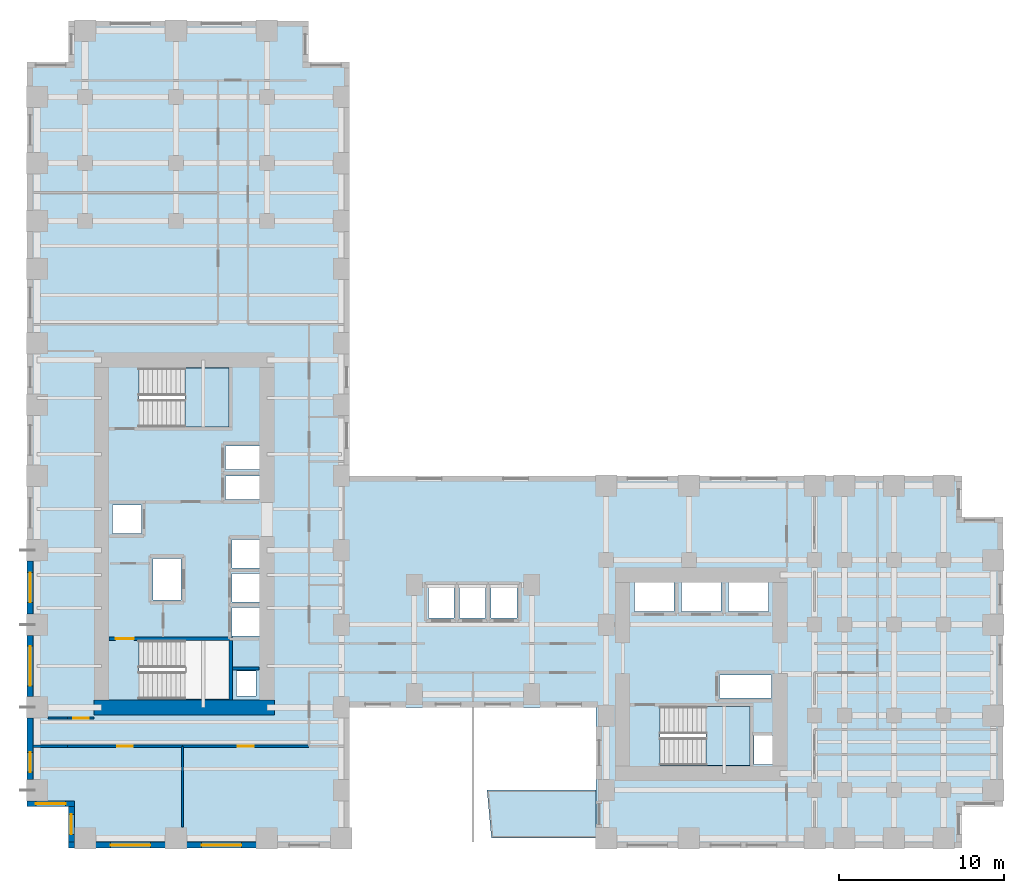
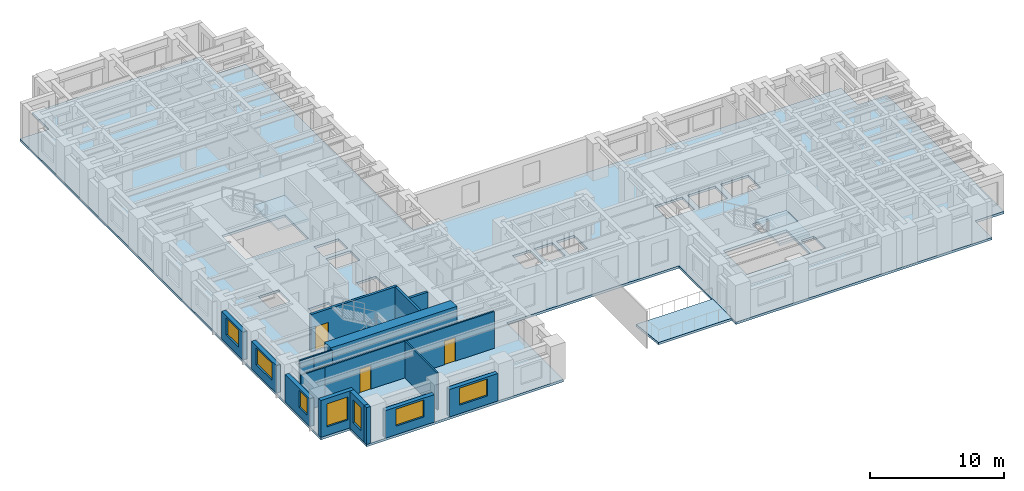
# One storey, part 3 of 12: 18 walls, 7 windows, 4 doors, 4 slabs, 11 openings, 2 elements without a shape of their own.
"""IFC4 building model written with IfcOpenShell, lengths in metres."""

from ifc_helpers import new_model, si_unit, direction, frame, frame_2d, origin, place, context, subcontext, project, spatial, polyline, rectangle, outline, extrude, source, transform, mapped, material, layer, layer_set, type_object, element, fill, aggregate, save


model = new_model("IFC4")

# Units and contexts
model_context = context("Model", 3, precision=1e-05, world=origin(), true_north=direction((0.0, 1.0)))
body_context = subcontext(model_context, "Body", "Model", "MODEL_VIEW")
ifc_project = project(units=[si_unit("LENGTHUNIT", "METRE"), si_unit("AREAUNIT", "SQUARE_METRE"), si_unit("VOLUMEUNIT", "CUBIC_METRE"), si_unit("PLANEANGLEUNIT", "RADIAN"), si_unit("MASSUNIT", "GRAM", prefix="KILO")], contexts=[model_context])

# Site, building, storey
site_placement = place(None, origin())
site = spatial("IfcSite", under=ifc_project, at=site_placement, CompositionType="ELEMENT")
building_placement = place(site_placement, origin())
building = spatial("IfcBuilding", under=site, at=building_placement, Name="Kharzan Plaza Tower", CompositionType="ELEMENT")
storey_placement = place(building_placement, frame((0.0, 0.0, 62.10009765625)))
storey = spatial("IfcBuildingStorey", under=building, at=storey_placement, Name="L16", CompositionType="ELEMENT", Elevation=62.10009765625)

# Slab
ifc_material_1 = material(Name="Concrete C40/50", Category="concrete")
ifc_layer_1 = layer(ifc_material_1, 0.219970703125)
ifc_layer_set_1 = layer_set([ifc_layer_1], Name="Concrete C40/50")
slab_type_1 = type_object("IfcSlabType", Name="SL-FLOOR-220", PredefinedType="FLOOR", material=ifc_layer_set_1)
slab_1_placement = place(storey_placement, frame((0.0, 0.0, -0.22021484375)))
element("IfcSlab", 1, at=slab_1_placement, inside=storey, type_object=slab_type_1, Name="L16 Composite Structural Floor Slab 220 mm", PredefinedType="FLOOR", context=body_context, shape_type="SweptSolid", body=[
    extrude(outline(polyline([(34.39990234375, 22.5), (19.5, 22.5), (19.5, 47.5), (17.0, 47.5), (17.0, 50.0), (2.5, 50.0), (2.5, 47.5), (0.0, 47.5), (0.0, 2.5), (2.5, 2.5), (2.5, 0.0), (19.5, 0.0), (19.5, 8.5), (34.39990234375, 8.5), (34.39990234375, 0.0), (56.5, 0.0), (56.5, 2.5), (59.0, 2.5), (59.0, 20.0), (56.5, 20.0), (56.5, 22.5), (34.39990234375, 22.5)]), holes=[polyline([(13.85009765625, 9.199951171875), (13.85009765625, 10.699951171875), (12.64990234375, 10.699951171875), (12.64990234375, 9.199951171875), (13.85009765625, 9.199951171875)]), polyline([(12.199951171875, 9.0), (12.199951171875, 12.550048828125), (6.75, 12.550048828125), (6.75, 9.0), (12.199951171875, 9.0)]), polyline([(14.10009765625, 12.800048828125), (14.10009765625, 14.530029296875), (12.39990234375, 14.530029296875), (12.39990234375, 12.800048828125), (14.10009765625, 12.800048828125)]), polyline([(14.10009765625, 14.8701171875), (14.10009765625, 16.60009765625), (12.39990234375, 16.60009765625), (12.39990234375, 14.8701171875), (14.10009765625, 14.8701171875)]), polyline([(9.300048828125, 15.0), (9.300048828125, 17.5), (7.60009765625, 17.5), (7.60009765625, 15.0), (9.300048828125, 15.0)]), polyline([(14.10009765625, 16.93994140625), (14.10009765625, 18.64990234375), (12.39990234375, 18.64990234375), (12.39990234375, 16.93994140625), (14.10009765625, 16.93994140625)]), polyline([(6.89990234375, 19.010009765625), (6.89990234375, 20.72998046875), (5.14990234375, 20.72998046875), (5.14990234375, 19.010009765625), (6.89990234375, 19.010009765625)]), polyline([(12.0, 21.070068359375), (14.10009765625, 21.070068359375), (14.10009765625, 22.489990234375), (12.0, 22.489990234375), (12.0, 21.070068359375)]), polyline([(12.0, 22.8701171875), (14.10009765625, 22.8701171875), (14.10009765625, 24.2900390625), (12.0, 24.2900390625), (12.0, 22.8701171875)]), polyline([(12.199951171875, 25.449951171875), (12.199951171875, 29.0), (6.75, 29.0), (6.75, 25.449951171875), (12.199951171875, 25.449951171875)]), polyline([(45.050048828125, 5.050048828125), (45.050048828125, 6.800048828125), (43.949951171875, 6.800048828125), (43.949951171875, 5.050048828125), (45.050048828125, 5.050048828125)]), polyline([(43.699951171875, 5.0), (43.699951171875, 8.550048828125), (38.25, 8.550048828125), (38.25, 5.0), (43.699951171875, 5.0)]), polyline([(41.85009765625, 9.070068359375), (45.0, 9.070068359375), (45.0, 10.469970703125), (41.85009765625, 10.469970703125), (41.85009765625, 9.070068359375)]), polyline([(24.25, 13.89990234375), (25.800048828125, 13.89990234375), (25.800048828125, 15.85009765625), (24.25, 15.85009765625), (24.25, 13.89990234375)]), polyline([(27.699951171875, 13.89990234375), (27.699951171875, 15.85009765625), (26.14990234375, 15.85009765625), (26.14990234375, 13.89990234375), (27.699951171875, 13.89990234375)]), polyline([(29.60009765625, 13.89990234375), (29.60009765625, 15.85009765625), (28.050048828125, 15.85009765625), (28.050048828125, 13.89990234375), (29.60009765625, 13.89990234375)]), polyline([(39.10009765625, 14.300048828125), (39.10009765625, 16.14990234375), (36.699951171875, 16.14990234375), (36.699951171875, 14.300048828125), (39.10009765625, 14.300048828125)]), polyline([(39.550048828125, 14.300048828125), (41.949951171875, 14.300048828125), (41.949951171875, 16.14990234375), (39.550048828125, 16.14990234375), (39.550048828125, 14.300048828125)]), polyline([(42.39990234375, 14.300048828125), (44.800048828125, 14.300048828125), (44.800048828125, 16.14990234375), (42.39990234375, 16.14990234375), (42.39990234375, 14.300048828125)])]), origin(), (0.0, 0.0, 1.0), 0.22021484375),
])

# Stair, slab
stair_type_1 = type_object("IfcStairType", Name="STR-ST-2", PredefinedType="HALF_TURN_STAIR", material=ifc_material_1)
stair_1_placement = place(storey_placement, origin())
stair_1 = element("IfcStair", 2, at=stair_1_placement, inside=storey, type_object=stair_type_1, Name="L16 Protected Exit Stair ST-2", PredefinedType="HALF_TURN_STAIR")
ifc_layer_2 = layer(ifc_material_1, 0.219970703125)
ifc_layer_set_2 = layer_set([ifc_layer_2], Name="Concrete C40/50")
slab_type_2 = type_object("IfcSlabType", Name="SL-LANDING-220", PredefinedType="LANDING", material=ifc_layer_set_2)
slab_2_placement = place(storey_placement, frame((0.0, 0.0, 1.599853515625)))
slab_2 = element("IfcSlab", 3, at=slab_2_placement, type_object=slab_type_2, Name="ST-2 landing 1", PredefinedType="LANDING", context=body_context, shape_type="SweptSolid", body=[
    extrude(outline(polyline([(9.550048828125, 25.449951171875), (12.199951171875, 25.449951171875), (12.199951171875, 29.0), (9.550048828125, 29.0), (9.550048828125, 25.449951171875)])), origin(), (0.0, 0.0, 1.0), 0.199951171875),
])
aggregate(stair_1, [slab_2])

stair_type_2 = type_object("IfcStairType", Name="STR-ST-3", PredefinedType="HALF_TURN_STAIR", material=ifc_material_1)
stair_2_placement = place(storey_placement, origin())
stair_2 = element("IfcStair", 4, at=stair_2_placement, inside=storey, type_object=stair_type_2, Name="L16 Protected Exit Stair ST-3", PredefinedType="HALF_TURN_STAIR")
slab_3_placement = place(storey_placement, frame((0.0, 0.0, 1.599853515625)))
slab_3 = element("IfcSlab", 5, at=slab_3_placement, type_object=slab_type_2, Name="ST-3 landing 1", PredefinedType="LANDING", context=body_context, shape_type="SweptSolid", body=[
    extrude(outline(polyline([(41.050048828125, 5.0), (43.699951171875, 5.0), (43.699951171875, 8.550048828125), (41.050048828125, 8.550048828125), (41.050048828125, 5.0)])), origin(), (0.0, 0.0, 1.0), 0.199951171875),
])
aggregate(stair_2, [slab_3])

# Slab
ifc_layer_3 = layer(ifc_material_1, 0.215087890625)
ifc_layer_set_3 = layer_set([ifc_layer_3], Name="Concrete C40/50")
slab_type_3 = type_object("IfcSlabType", Name="SL-TRAY-215", PredefinedType="ROOF", material=ifc_layer_set_3)
slab_4_placement = place(storey_placement, frame((0.0, 0.0, -0.215087890625)))
element("IfcSlab", 6, at=slab_4_placement, inside=storey, type_object=slab_type_3, Name="L16 Sky Terrace Tray Slab", PredefinedType="ROOF", context=body_context, shape_type="SweptSolid", body=[
    extrude(outline(polyline([(28.06396484375, 0.60009765625), (34.39990234375, 0.60009765625), (34.39990234375, 3.5), (27.800048828125, 3.5), (28.06396484375, 0.60009765625)])), origin(), (0.0, 0.0, 1.0), 0.215087890625),
])

# Wall, opening, window
ifc_layer_4 = layer(ifc_material_1, 0.35009765625)
ifc_layer_set_4 = layer_set([ifc_layer_4], Name="Concrete C40/50")
wall_type_1 = type_object("IfcWallType", Name="WL-EXT-MAS-Z1", PredefinedType="SOLIDWALL", material=ifc_layer_set_4)
wall_1_placement = place(storey_placement, frame((0.175048828125, 17.35205078125, 0.0), z_axis=(0.0, 0.0, 1.0), x_axis=(0.0, -1.0, 0.0)))
wall_1 = element("IfcWall", 7, at=wall_1_placement, inside=storey, type_object=wall_type_1, Name="L16 Masonry-Frame Exterior Wall 17", PredefinedType="SOLIDWALL", context=body_context, shape_type="SweptSolid", body=[
    extrude(rectangle(XDim=3.2041015625, YDim=0.35009765625, at=frame_2d((1.60205078125, 0.0))), origin(), (0.0, 0.0, 1.0), 2.510009765625),
])
opening_1_placement = place(wall_1_placement, frame((0.701904296875, 0.0, 0.780029296875)))
opening_1 = element("IfcOpeningElement", 8, at=opening_1_placement, cuts=wall_1, Name="Opening W1", PredefinedType="OPENING", context=body_context, shape_type="SweptSolid", body=[
    extrude(rectangle(XDim=1.800048828125, YDim=1.550048828125, at=frame_2d((0.89990234375, 0.77490234375))), frame((0.0, 0.18505859375, 0.0), z_axis=(0.0, -1.0, 0.0), x_axis=(1.0, 0.0, 0.0)), (0.0, 0.0, 1.0), 0.3701171875),
])
ifc_material_2 = material(Name="Low-E Double Glazing", Category="glass")
window_type_1 = type_object("IfcWindowType", Name="WN-REC-1800x2100", PartitioningType="SINGLE_PANEL", PredefinedType="WINDOW", material=ifc_material_2)
shared_shape_1 = source(origin(), body_context, "Body", "SweptSolid", [
    extrude(rectangle(XDim=1.800048828125, YDim=1.550048828125, at=frame_2d((0.89990234375, 0.77490234375))), frame((0.0, 0.030029296875, 0.0), z_axis=(0.0, -1.0, 0.0), x_axis=(1.0, 0.0, 0.0)), (0.0, 0.0, 1.0), 0.06005859375),
])
window_1_placement = place(opening_1_placement, origin())
window_1 = element("IfcWindow", 9, at=window_1_placement, inside=storey, type_object=window_type_1, Name="L16 Recessed Solar-Control Window 17-1", OverallHeight=1.550048828125, OverallWidth=1.800048828125, PartitioningType="SINGLE_PANEL", PredefinedType="WINDOW", context=body_context, shape_type="MappedRepresentation", body=[
    mapped(shared_shape_1, transform((0.0, 0.0, 0.0), x_axis=(1.0, 0.0, 0.0), y_axis=(0.0, 1.0, 0.0), z_axis=(0.0, 0.0, 1.0))),
])
fill(opening_1, window_1)

wall_2_placement = place(storey_placement, frame((0.175048828125, 12.85205078125, 0.0), z_axis=(0.0, 0.0, 1.0), x_axis=(0.0, -1.0, 0.0)))
wall_2 = element("IfcWall", 10, at=wall_2_placement, inside=storey, type_object=wall_type_1, Name="L16 Masonry-Frame Exterior Wall 18", PredefinedType="SOLIDWALL", context=body_context, shape_type="SweptSolid", body=[
    extrude(rectangle(XDim=3.7041015625, YDim=0.35009765625, at=frame_2d((1.85205078125, 0.0))), origin(), (0.0, 0.0, 1.0), 2.510009765625),
])
opening_2_placement = place(wall_2_placement, frame((0.652099609375, 0.0, 0.780029296875)))
opening_2 = element("IfcOpeningElement", 11, at=opening_2_placement, cuts=wall_2, Name="Opening W2", PredefinedType="OPENING", context=body_context, shape_type="SweptSolid", body=[
    extrude(rectangle(XDim=2.39990234375, YDim=1.550048828125, at=frame_2d((1.199951171875, 0.77490234375))), frame((0.0, 0.18505859375, 0.0), z_axis=(0.0, -1.0, 0.0), x_axis=(1.0, 0.0, 0.0)), (0.0, 0.0, 1.0), 0.3701171875),
])
window_type_2 = type_object("IfcWindowType", Name="WN-REC-2400x2100", PartitioningType="SINGLE_PANEL", PredefinedType="WINDOW", material=ifc_material_2)
shared_shape_2 = source(origin(), body_context, "Body", "SweptSolid", [
    extrude(rectangle(XDim=2.39990234375, YDim=1.550048828125, at=frame_2d((1.199951171875, 0.77490234375))), frame((0.0, 0.030029296875, 0.0), z_axis=(0.0, -1.0, 0.0), x_axis=(1.0, 0.0, 0.0)), (0.0, 0.0, 1.0), 0.06005859375),
])
window_2_placement = place(opening_2_placement, origin())
window_2 = element("IfcWindow", 12, at=window_2_placement, inside=storey, type_object=window_type_2, Name="L16 Wide Recessed Solar-Control Window 18-1", OverallHeight=1.550048828125, OverallWidth=2.39990234375, PartitioningType="SINGLE_PANEL", PredefinedType="WINDOW", context=body_context, shape_type="MappedRepresentation", body=[
    mapped(shared_shape_2, transform((0.0, 0.0, 0.0), x_axis=(1.0, 0.0, 0.0), y_axis=(0.0, 1.0, 0.0), z_axis=(0.0, 0.0, 1.0))),
])
fill(opening_2, window_2)

wall_3_placement = place(storey_placement, frame((0.175048828125, 7.85205078125, 0.0), z_axis=(0.0, 0.0, 1.0), x_axis=(0.0, -1.0, 0.0)))
wall_3 = element("IfcWall", 13, at=wall_3_placement, inside=storey, type_object=wall_type_1, Name="L16 Masonry-Frame Exterior Wall 19", PredefinedType="SOLIDWALL", context=body_context, shape_type="SweptSolid", body=[
    extrude(rectangle(XDim=3.7041015625, YDim=0.35009765625, at=frame_2d((1.85205078125, 0.0))), origin(), (0.0, 0.0, 1.0), 2.510009765625),
])
opening_3_placement = place(wall_3_placement, frame((2.068115234375, 0.0, 0.780029296875)))
opening_3 = element("IfcOpeningElement", 14, at=opening_3_placement, cuts=wall_3, Name="Opening W3", PredefinedType="OPENING", context=body_context, shape_type="SweptSolid", body=[
    extrude(rectangle(XDim=1.199951171875, YDim=1.550048828125, at=frame_2d((0.60009765625, 0.77490234375))), frame((0.0, 0.18505859375, 0.0), z_axis=(0.0, -1.0, 0.0), x_axis=(1.0, 0.0, 0.0)), (0.0, 0.0, 1.0), 0.3701171875),
])
window_type_3 = type_object("IfcWindowType", Name="WN-REC-1200x2100", PartitioningType="SINGLE_PANEL", PredefinedType="WINDOW", material=ifc_material_2)
shared_shape_3 = source(origin(), body_context, "Body", "SweptSolid", [
    extrude(rectangle(XDim=1.199951171875, YDim=1.550048828125, at=frame_2d((0.60009765625, 0.77490234375))), frame((0.0, 0.030029296875, 0.0), z_axis=(0.0, -1.0, 0.0), x_axis=(1.0, 0.0, 0.0)), (0.0, 0.0, 1.0), 0.06005859375),
])
window_3_placement = place(opening_3_placement, origin())
window_3 = element("IfcWindow", 15, at=window_3_placement, inside=storey, type_object=window_type_3, Name="L16 Recessed Solar-Control Window 19-1", OverallHeight=1.550048828125, OverallWidth=1.199951171875, PartitioningType="SINGLE_PANEL", PredefinedType="WINDOW", context=body_context, shape_type="MappedRepresentation", body=[
    mapped(shared_shape_3, transform((0.0, 0.0, 0.0), x_axis=(1.0, 0.0, 0.0), y_axis=(0.0, 1.0, 0.0), z_axis=(0.0, 0.0, 1.0))),
])
fill(opening_3, window_3)

wall_4_placement = place(storey_placement, frame((0.0, 2.675048828125, 0.0), z_axis=(0.0, 0.0, 1.0), x_axis=(1.0, 0.0, 0.0)))
wall_4 = element("IfcWall", 16, at=wall_4_placement, inside=storey, type_object=wall_type_1, Name="L16 Masonry-Frame Exterior Wall 20", PredefinedType="SOLIDWALL", context=body_context, shape_type="SweptSolid", body=[
    extrude(rectangle(XDim=2.85009765625, YDim=0.35009765625, at=frame_2d((1.425048828125, 0.0))), origin(), (0.0, 0.0, 1.0), 3.364990234375),
])
opening_4_placement = place(wall_4_placement, frame((0.52490234375, 0.0, 0.780029296875)))
opening_4 = element("IfcOpeningElement", 17, at=opening_4_placement, cuts=wall_4, Name="Opening W1", PredefinedType="OPENING", context=body_context, shape_type="SweptSolid", body=[
    extrude(rectangle(XDim=1.800048828125, YDim=2.10009765625, at=frame_2d((0.89990234375, 1.050048828125))), frame((0.0, 0.18505859375, 0.0), z_axis=(0.0, -1.0, 0.0), x_axis=(1.0, 0.0, 0.0)), (0.0, 0.0, 1.0), 0.3701171875),
])
shared_shape_4 = source(origin(), body_context, "Body", "SweptSolid", [
    extrude(rectangle(XDim=1.800048828125, YDim=2.10009765625, at=frame_2d((0.89990234375, 1.050048828125))), frame((0.0, 0.030029296875, 0.0), z_axis=(0.0, -1.0, 0.0), x_axis=(1.0, 0.0, 0.0)), (0.0, 0.0, 1.0), 0.06005859375),
])
window_4_placement = place(opening_4_placement, origin())
window_4 = element("IfcWindow", 18, at=window_4_placement, inside=storey, type_object=window_type_1, Name="L16 Recessed Solar-Control Window 20-1", OverallHeight=2.10009765625, OverallWidth=1.800048828125, PartitioningType="SINGLE_PANEL", PredefinedType="WINDOW", context=body_context, shape_type="MappedRepresentation", body=[
    mapped(shared_shape_4, transform((0.0, 0.0, 0.0), x_axis=(1.0, 0.0, 0.0), y_axis=(0.0, 1.0, 0.0), z_axis=(0.0, 0.0, 1.0))),
])
fill(opening_4, window_4)

wall_5_placement = place(storey_placement, frame((2.675048828125, 2.501953125, 0.0), z_axis=(0.0, 0.0, 1.0), x_axis=(0.0, -1.0, 0.0)))
wall_5 = element("IfcWall", 19, at=wall_5_placement, inside=storey, type_object=wall_type_1, Name="L16 Masonry-Frame Exterior Wall 21", PredefinedType="SOLIDWALL", context=body_context, shape_type="SweptSolid", body=[
    extrude(rectangle(XDim=2.154052734375, YDim=0.35009765625, at=frame_2d((1.0771484375, 0.0))), origin(), (0.0, 0.0, 1.0), 3.364990234375),
])
opening_5_placement = place(wall_5_placement, frame((0.47705078125, 0.0, 0.780029296875)))
opening_5 = element("IfcOpeningElement", 20, at=opening_5_placement, cuts=wall_5, Name="Opening W3", PredefinedType="OPENING", context=body_context, shape_type="SweptSolid", body=[
    extrude(rectangle(XDim=1.199951171875, YDim=2.10009765625, at=frame_2d((0.60009765625, 1.050048828125))), frame((0.0, 0.18505859375, 0.0), z_axis=(0.0, -1.0, 0.0), x_axis=(1.0, 0.0, 0.0)), (0.0, 0.0, 1.0), 0.3701171875),
])
shared_shape_5 = source(origin(), body_context, "Body", "SweptSolid", [
    extrude(rectangle(XDim=1.199951171875, YDim=2.10009765625, at=frame_2d((0.60009765625, 1.050048828125))), frame((0.0, 0.030029296875, 0.0), z_axis=(0.0, -1.0, 0.0), x_axis=(1.0, 0.0, 0.0)), (0.0, 0.0, 1.0), 0.06005859375),
])
window_5_placement = place(opening_5_placement, origin())
window_5 = element("IfcWindow", 21, at=window_5_placement, inside=storey, type_object=window_type_3, Name="L16 Recessed Solar-Control Window 21-1", OverallHeight=2.10009765625, OverallWidth=1.199951171875, PartitioningType="SINGLE_PANEL", PredefinedType="WINDOW", context=body_context, shape_type="MappedRepresentation", body=[
    mapped(shared_shape_5, transform((0.0, 0.0, 0.0), x_axis=(1.0, 0.0, 0.0), y_axis=(0.0, 1.0, 0.0), z_axis=(0.0, 0.0, 1.0))),
])
fill(opening_5, window_5)

wall_6_placement = place(storey_placement, frame((4.14794921875, 0.175048828125, 0.0), z_axis=(0.0, 0.0, 1.0), x_axis=(1.0, 0.0, 0.0)))
wall_6 = element("IfcWall", 22, at=wall_6_placement, inside=storey, type_object=wall_type_1, Name="L16 Masonry-Frame Exterior Wall 23", PredefinedType="SOLIDWALL", context=body_context, shape_type="SweptSolid", body=[
    extrude(rectangle(XDim=4.2041015625, YDim=0.35009765625, at=frame_2d((2.10205078125, 0.0))), origin(), (0.0, 0.0, 1.0), 2.510009765625),
])
opening_6_placement = place(wall_6_placement, frame((0.902099609375, 0.0, 0.780029296875)))
opening_6 = element("IfcOpeningElement", 23, at=opening_6_placement, cuts=wall_6, Name="Opening W2", PredefinedType="OPENING", context=body_context, shape_type="SweptSolid", body=[
    extrude(rectangle(XDim=2.39990234375, YDim=1.550048828125, at=frame_2d((1.199951171875, 0.77490234375))), frame((0.0, 0.18505859375, 0.0), z_axis=(0.0, -1.0, 0.0), x_axis=(1.0, 0.0, 0.0)), (0.0, 0.0, 1.0), 0.3701171875),
])
window_6_placement = place(opening_6_placement, origin())
window_6 = element("IfcWindow", 24, at=window_6_placement, inside=storey, type_object=window_type_2, Name="L16 Wide Recessed Solar-Control Window 23-1", OverallHeight=1.550048828125, OverallWidth=2.39990234375, PartitioningType="SINGLE_PANEL", PredefinedType="WINDOW", context=body_context, shape_type="MappedRepresentation", body=[
    mapped(shared_shape_2, transform((0.0, 0.0, 0.0), x_axis=(1.0, 0.0, 0.0), y_axis=(0.0, 1.0, 0.0), z_axis=(0.0, 0.0, 1.0))),
])
fill(opening_6, window_6)

wall_7_placement = place(storey_placement, frame((9.64794921875, 0.175048828125, 0.0), z_axis=(0.0, 0.0, 1.0), x_axis=(1.0, 0.0, 0.0)))
wall_7 = element("IfcWall", 25, at=wall_7_placement, inside=storey, type_object=wall_type_1, Name="L16 Masonry-Frame Exterior Wall 24", PredefinedType="SOLIDWALL", context=body_context, shape_type="SweptSolid", body=[
    extrude(rectangle(XDim=4.2041015625, YDim=0.35009765625, at=frame_2d((2.10205078125, 0.0))), origin(), (0.0, 0.0, 1.0), 2.510009765625),
])
opening_7_placement = place(wall_7_placement, frame((0.902099609375, 0.0, 0.780029296875)))
opening_7 = element("IfcOpeningElement", 26, at=opening_7_placement, cuts=wall_7, Name="Opening W2", PredefinedType="OPENING", context=body_context, shape_type="SweptSolid", body=[
    extrude(rectangle(XDim=2.39990234375, YDim=1.550048828125, at=frame_2d((1.199951171875, 0.77490234375))), frame((0.0, 0.18505859375, 0.0), z_axis=(0.0, -1.0, 0.0), x_axis=(1.0, 0.0, 0.0)), (0.0, 0.0, 1.0), 0.3701171875),
])
window_7_placement = place(opening_7_placement, origin())
window_7 = element("IfcWindow", 27, at=window_7_placement, inside=storey, type_object=window_type_2, Name="L16 Wide Recessed Solar-Control Window 24-1", OverallHeight=1.550048828125, OverallWidth=2.39990234375, PartitioningType="SINGLE_PANEL", PredefinedType="WINDOW", context=body_context, shape_type="MappedRepresentation", body=[
    mapped(shared_shape_2, transform((0.0, 0.0, 0.0), x_axis=(1.0, 0.0, 0.0), y_axis=(0.0, 1.0, 0.0), z_axis=(0.0, 0.0, 1.0))),
])
fill(opening_7, window_7)

# Wall, opening, door
ifc_material_3 = material(Name="Fire-Rated Gypsum Board Partition", Category="gypsum")
ifc_layer_5 = layer(ifc_material_3, 0.125)
ifc_layer_set_5 = layer_set([ifc_layer_5], Name="Fire-Rated Gypsum Board Partition")
wall_type_2 = type_object("IfcWallType", Name="WL-INT-PART-125", PredefinedType="PARTITIONING", material=ifc_layer_set_5)
wall_8_placement = place(storey_placement, frame((2.449951171875, 7.85009765625, 0.0), z_axis=(0.0, 0.0, 1.0), x_axis=(1.0, 0.0, 0.0)))
wall_8 = element("IfcWall", 28, at=wall_8_placement, inside=storey, type_object=wall_type_2, Name="L16 Interior Partition SH-RWSD", PredefinedType="PARTITIONING", context=body_context, shape_type="SweptSolid", body=[
    extrude(rectangle(XDim=1.60009765625, YDim=0.125, at=frame_2d((0.800048828125, 0.0))), origin(), (0.0, 0.0, 1.0), 3.364990234375),
])
opening_8_placement = place(wall_8_placement, frame((0.324951171875, 0.0, 0.0)))
opening_8 = element("IfcOpeningElement", 29, at=opening_8_placement, cuts=wall_8, Name="Opening OD1", PredefinedType="OPENING", context=body_context, shape_type="SweptSolid", body=[
    extrude(rectangle(XDim=0.949951171875, YDim=2.14990234375, at=frame_2d((0.47509765625, 1.074951171875))), frame((0.0, 0.072509765625, 0.0), z_axis=(0.0, -1.0, 0.0), x_axis=(1.0, 0.0, 0.0)), (0.0, 0.0, 1.0), 0.14501953125),
])
ifc_material_4 = material(Name="Acoustic Solid-Core Stained Oak", Category="timber")
door_type_1 = type_object("IfcDoorType", Name="DR-OFF-SINGLE", OperationType="NOTDEFINED", PredefinedType="DOOR", material=ifc_material_4)
shared_shape_6 = source(origin(), body_context, "Body", "SweptSolid", [
    extrude(rectangle(XDim=0.949951171875, YDim=2.14990234375, at=frame_2d((0.47509765625, 1.074951171875))), frame((0.0, 0.02490234375, 0.0), z_axis=(0.0, -1.0, 0.0), x_axis=(1.0, 0.0, 0.0)), (0.0, 0.0, 1.0), 0.050048828125),
])
door_1_placement = place(opening_8_placement, origin())
door_1 = element("IfcDoor", 30, at=door_1_placement, inside=storey, type_object=door_type_1, Name="L16 West Studio South Door", OperationType="SINGLE_SWING_RIGHT", OverallHeight=2.14990234375, OverallWidth=0.949951171875, PredefinedType="DOOR", context=body_context, shape_type="MappedRepresentation", body=[
    mapped(shared_shape_6, transform((0.0, 0.0, 0.0), x_axis=(1.0, 0.0, 0.0), y_axis=(0.0, 1.0, 0.0), z_axis=(0.0, 0.0, 1.0))),
])
fill(opening_8, door_1)

wall_9_placement = place(storey_placement, frame((2.449951171875, 6.14990234375, 0.0), z_axis=(0.0, 0.0, 1.0), x_axis=(1.0, 0.0, 0.0)))
wall_9 = element("IfcWall", 31, at=wall_9_placement, inside=storey, type_object=wall_type_2, Name="L16 Interior Partition SH-SS-1", PredefinedType="PARTITIONING", context=body_context, shape_type="SweptSolid", body=[
    extrude(rectangle(XDim=6.93505859375, YDim=0.125, at=frame_2d((3.467529296875, 0.0))), origin(), (0.0, 0.0, 1.0), 3.364990234375),
])
opening_9_placement = place(wall_9_placement, frame((2.992431640625, 0.0, 0.0)))
opening_9 = element("IfcOpeningElement", 32, at=opening_9_placement, cuts=wall_9, Name="Opening OD1", PredefinedType="OPENING", context=body_context, shape_type="SweptSolid", body=[
    extrude(rectangle(XDim=0.949951171875, YDim=2.14990234375, at=frame_2d((0.47509765625, 1.074951171875))), frame((0.0, 0.072509765625, 0.0), z_axis=(0.0, -1.0, 0.0), x_axis=(1.0, 0.0, 0.0)), (0.0, 0.0, 1.0), 0.14501953125),
])
door_2_placement = place(opening_9_placement, origin())
door_2 = element("IfcDoor", 33, at=door_2_placement, inside=storey, type_object=door_type_1, Name="L16 Treasury Operations Office Door", OperationType="SINGLE_SWING_LEFT", OverallHeight=2.14990234375, OverallWidth=0.949951171875, PredefinedType="DOOR", context=body_context, shape_type="MappedRepresentation", body=[
    mapped(shared_shape_6, transform((0.0, 0.0, 0.0), x_axis=(1.0, 0.0, 0.0), y_axis=(0.0, 1.0, 0.0), z_axis=(0.0, 0.0, 1.0))),
])
fill(opening_9, door_2)

wall_10_placement = place(storey_placement, frame((9.385009765625, 6.14990234375, 0.0), z_axis=(0.0, 0.0, 1.0), x_axis=(1.0, 0.0, 0.0)))
wall_10 = element("IfcWall", 34, at=wall_10_placement, inside=storey, type_object=wall_type_2, Name="L16 Interior Partition SH-SS-2", PredefinedType="PARTITIONING", context=body_context, shape_type="SweptSolid", body=[
    extrude(rectangle(XDim=7.6650390625, YDim=0.125, at=frame_2d((3.83251953125, 0.0))), origin(), (0.0, 0.0, 1.0), 3.364990234375),
])
opening_10_placement = place(wall_10_placement, frame((3.357421875, 0.0, 0.0)))
opening_10 = element("IfcOpeningElement", 35, at=opening_10_placement, cuts=wall_10, Name="Opening OD1", PredefinedType="OPENING", context=body_context, shape_type="SweptSolid", body=[
    extrude(rectangle(XDim=0.949951171875, YDim=2.14990234375, at=frame_2d((0.47509765625, 1.074951171875))), frame((0.0, 0.072509765625, 0.0), z_axis=(0.0, -1.0, 0.0), x_axis=(1.0, 0.0, 0.0)), (0.0, 0.0, 1.0), 0.14501953125),
])
door_3_placement = place(opening_10_placement, origin())
door_3 = element("IfcDoor", 36, at=door_3_placement, inside=storey, type_object=door_type_1, Name="L16 Executive Conference Room Door", OperationType="SINGLE_SWING_RIGHT", OverallHeight=2.14990234375, OverallWidth=0.949951171875, PredefinedType="DOOR", context=body_context, shape_type="MappedRepresentation", body=[
    mapped(shared_shape_6, transform((0.0, 0.0, 0.0), x_axis=(1.0, 0.0, 0.0), y_axis=(0.0, 1.0, 0.0), z_axis=(0.0, 0.0, 1.0))),
])
fill(opening_10, door_3)

ifc_material_5 = material(Name="Concrete C50/60", Category="concrete")
ifc_layer_6 = layer(ifc_material_5, 0.199951171875)
ifc_layer_set_6 = layer_set([ifc_layer_6], Name="Concrete C50/60")
wall_type_3 = type_object("IfcWallType", Name="WL-SHAFT-RC200", PredefinedType="SHEAR", material=ifc_layer_set_6)
wall_11_placement = place(storey_placement, frame((4.951904296875, 12.655029296875, 0.0), z_axis=(0.0, 0.0, 1.0), x_axis=(1.0, 0.0, 0.0)))
wall_11 = element("IfcWall", 37, at=wall_11_placement, inside=storey, type_object=wall_type_3, Name="L16 Stair ST-1 North RC Shaft Wall", PredefinedType="SHEAR", context=body_context, shape_type="SweptSolid", body=[
    extrude(rectangle(XDim=7.453125, YDim=0.199951171875, at=frame_2d((3.7265625, 0.0))), origin(), (0.0, 0.0, 1.0), 3.3798828125),
])
opening_11_placement = place(wall_11_placement, frame((0.39990234375, 0.0, 0.0)))
opening_11 = element("IfcOpeningElement", 38, at=opening_11_placement, cuts=wall_11, Name="Opening SD1", PredefinedType="OPENING", context=body_context, shape_type="SweptSolid", body=[
    extrude(rectangle(XDim=1.10009765625, YDim=2.14990234375, at=frame_2d((0.550048828125, 1.074951171875))), frame((0.0, 0.10986328125, 0.0), z_axis=(0.0, -1.0, 0.0), x_axis=(1.0, 0.0, 0.0)), (0.0, 0.0, 1.0), 0.219970703125),
])
ifc_material_6 = material(Name="Fire-Rated Hollow Galvanized Steel", Category="steel")
door_type_2 = type_object("IfcDoorType", Name="DR-STAIR-FD120", OperationType="NOTDEFINED", PredefinedType="DOOR", material=ifc_material_6)
shared_shape_7 = source(origin(), body_context, "Body", "SweptSolid", [
    extrude(rectangle(XDim=1.10009765625, YDim=2.14990234375, at=frame_2d((0.550048828125, 1.074951171875))), frame((0.0, 0.02490234375, 0.0), z_axis=(0.0, -1.0, 0.0), x_axis=(1.0, 0.0, 0.0)), (0.0, 0.0, 1.0), 0.050048828125),
])
door_4_placement = place(opening_11_placement, origin())
door_4 = element("IfcDoor", 39, at=door_4_placement, inside=storey, type_object=door_type_2, Name="L16 Stair ST-1 Fire Exit Door", OperationType="SINGLE_SWING_RIGHT", OverallHeight=2.14990234375, OverallWidth=1.10009765625, PredefinedType="DOOR", context=body_context, shape_type="MappedRepresentation", body=[
    mapped(shared_shape_7, transform((0.0, 0.0, 0.0), x_axis=(1.0, 0.0, 0.0), y_axis=(0.0, 1.0, 0.0), z_axis=(0.0, 0.0, 1.0))),
])
fill(opening_11, door_4)

# Walls
ifc_material_7 = material(Name="Concrete C60/75", Category="concrete")
ifc_layer_7 = layer(ifc_material_7, 0.89990234375)
ifc_layer_set_7 = layer_set([ifc_layer_7], Name="Concrete C60/75")
wall_type_4 = type_object("IfcWallType", Name="WL-CORE-900", PredefinedType="SHEAR", material=ifc_layer_set_7)
shared_shape_8 = source(origin(), body_context, "Body", "SweptSolid", [
    extrude(rectangle(XDim=10.89990234375, YDim=0.89990234375, at=frame_2d((5.449951171875, 0.0))), origin(), (0.0, 0.0, 1.0), 3.3798828125),
])
wall_12_placement = place(storey_placement, frame((4.050048828125, 8.5, 0.0), z_axis=(0.0, 0.0, 1.0), x_axis=(1.0, 0.0, 0.0)))
element("IfcWall", 40, at=wall_12_placement, inside=storey, type_object=wall_type_4, Name="L16 CORE-A south RC shear wall", PredefinedType="SHEAR", context=body_context, shape_type="MappedRepresentation", body=[
    mapped(shared_shape_8, transform((0.0, 0.0, 0.0), x_axis=(1.0, 0.0, 0.0), y_axis=(0.0, 1.0, 0.0), z_axis=(0.0, 0.0, 1.0))),
])
shared_shape_9 = source(origin(), body_context, "Body", "SweptSolid", [
    extrude(rectangle(XDim=0.35205078125, YDim=0.35009765625, at=frame_2d((0.176025390625, 0.0))), origin(), (0.0, 0.0, 1.0), 3.364990234375),
])
wall_13_placement = place(storey_placement, frame((2.5, 0.175048828125, 0.0), z_axis=(0.0, 0.0, 1.0), x_axis=(1.0, 0.0, 0.0)))
element("IfcWall", 41, at=wall_13_placement, inside=storey, type_object=wall_type_1, Name="L16 Masonry-Frame Exterior Wall 22", PredefinedType="SOLIDWALL", context=body_context, shape_type="MappedRepresentation", body=[
    mapped(shared_shape_9, transform((0.0, 0.0, 0.0), x_axis=(1.0, 0.0, 0.0), y_axis=(0.0, 1.0, 0.0), z_axis=(0.0, 0.0, 1.0))),
])
shared_shape_10 = source(origin(), body_context, "Body", "SweptSolid", [
    extrude(rectangle(XDim=1.18994140625, YDim=0.125, at=frame_2d((0.594970703125, 0.0))), origin(), (0.0, 0.0, 1.0), 3.364990234375),
])
wall_14_placement = place(storey_placement, frame((1.260009765625, 7.85009765625, 0.0), z_axis=(0.0, 0.0, 1.0), x_axis=(1.0, 0.0, 0.0)))
element("IfcWall", 42, at=wall_14_placement, inside=storey, type_object=wall_type_2, Name="L16 Interior Partition SH-RWS0", PredefinedType="PARTITIONING", context=body_context, shape_type="MappedRepresentation", body=[
    mapped(shared_shape_10, transform((0.0, 0.0, 0.0), x_axis=(1.0, 0.0, 0.0), y_axis=(0.0, 1.0, 0.0), z_axis=(0.0, 0.0, 1.0))),
])
ifc_layer_8 = layer(ifc_material_1, 0.199951171875)
ifc_layer_set_8 = layer_set([ifc_layer_8], Name="Concrete C40/50")
wall_type_5 = type_object("IfcWallType", Name="WL-INT-SHAFT-200", PredefinedType="PARTITIONING", material=ifc_layer_set_8)
shared_shape_11 = source(origin(), body_context, "Body", "SweptSolid", [
    extrude(rectangle(XDim=1.60009765625, YDim=0.199951171875, at=frame_2d((0.800048828125, 0.0))), origin(), (0.0, 0.0, 1.0), 3.364990234375),
])
wall_15_placement = place(storey_placement, frame((12.419921875, 10.85009765625, 0.0), z_axis=(0.0, 0.0, 1.0), x_axis=(1.0, 0.0, 0.0)))
element("IfcWall", 43, at=wall_15_placement, inside=storey, type_object=wall_type_5, Name="L16 Interior Partition CA-RSRA-N", PredefinedType="PARTITIONING", context=body_context, shape_type="MappedRepresentation", body=[
    mapped(shared_shape_11, transform((0.0, 0.0, 0.0), x_axis=(1.0, 0.0, 0.0), y_axis=(0.0, 1.0, 0.0), z_axis=(0.0, 0.0, 1.0))),
])
shared_shape_12 = source(origin(), body_context, "Body", "SweptSolid", [
    extrude(rectangle(XDim=3.60302734375, YDim=0.199951171875, at=frame_2d((1.801513671875, 0.0))), origin(), (0.0, 0.0, 1.0), 3.3798828125),
])
wall_16_placement = place(storey_placement, frame((12.304931640625, 8.951904296875, 0.0), z_axis=(0.0, 0.0, 1.0), x_axis=(0.0, 1.0, 0.0)))
element("IfcWall", 44, at=wall_16_placement, inside=storey, type_object=wall_type_3, Name="L16 Stair ST-1 East RC Shaft Wall", PredefinedType="SHEAR", context=body_context, shape_type="MappedRepresentation", body=[
    mapped(shared_shape_12, transform((0.0, 0.0, 0.0), x_axis=(1.0, 0.0, 0.0), y_axis=(0.0, 1.0, 0.0), z_axis=(0.0, 0.0, 1.0))),
])
shared_shape_13 = source(origin(), body_context, "Body", "SweptSolid", [
    extrude(rectangle(XDim=2.097900390625, YDim=0.125, at=frame_2d((1.048828125, 0.0))), origin(), (0.0, 0.0, 1.0), 3.364990234375),
])
wall_17_placement = place(storey_placement, frame((0.35205078125, 6.14990234375, 0.0), z_axis=(0.0, 0.0, 1.0), x_axis=(1.0, 0.0, 0.0)))
element("IfcWall", 45, at=wall_17_placement, inside=storey, type_object=wall_type_2, Name="L16 Interior Partition SH-SS-EXT", PredefinedType="PARTITIONING", context=body_context, shape_type="MappedRepresentation", body=[
    mapped(shared_shape_13, transform((0.0, 0.0, 0.0), x_axis=(1.0, 0.0, 0.0), y_axis=(0.0, 1.0, 0.0), z_axis=(0.0, 0.0, 1.0))),
])
shared_shape_14 = source(origin(), body_context, "Body", "SweptSolid", [
    extrude(rectangle(XDim=4.889892578125, YDim=0.125, at=frame_2d((2.44482421875, 0.0))), origin(), (0.0, 0.0, 1.0), 3.364990234375),
])
wall_18_placement = place(storey_placement, frame((9.385009765625, 1.260009765625, 0.0), z_axis=(0.0, 0.0, 1.0), x_axis=(0.0, 1.0, 0.0)))
element("IfcWall", 46, at=wall_18_placement, inside=storey, type_object=wall_type_2, Name="L16 Interior Partition SH-SV-1", PredefinedType="PARTITIONING", context=body_context, shape_type="MappedRepresentation", body=[
    mapped(shared_shape_14, transform((0.0, 0.0, 0.0), x_axis=(1.0, 0.0, 0.0), y_axis=(0.0, 1.0, 0.0), z_axis=(0.0, 0.0, 1.0))),
])

save(model, "model.ifc")
